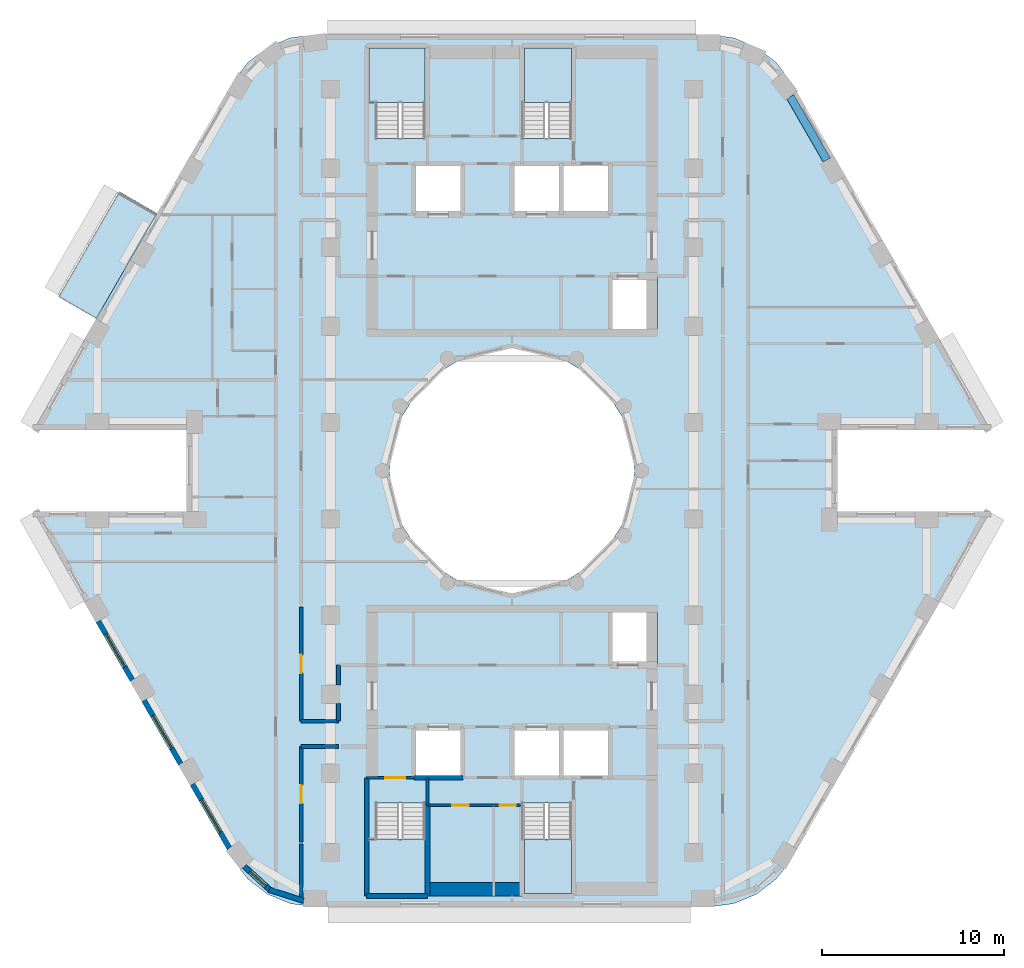
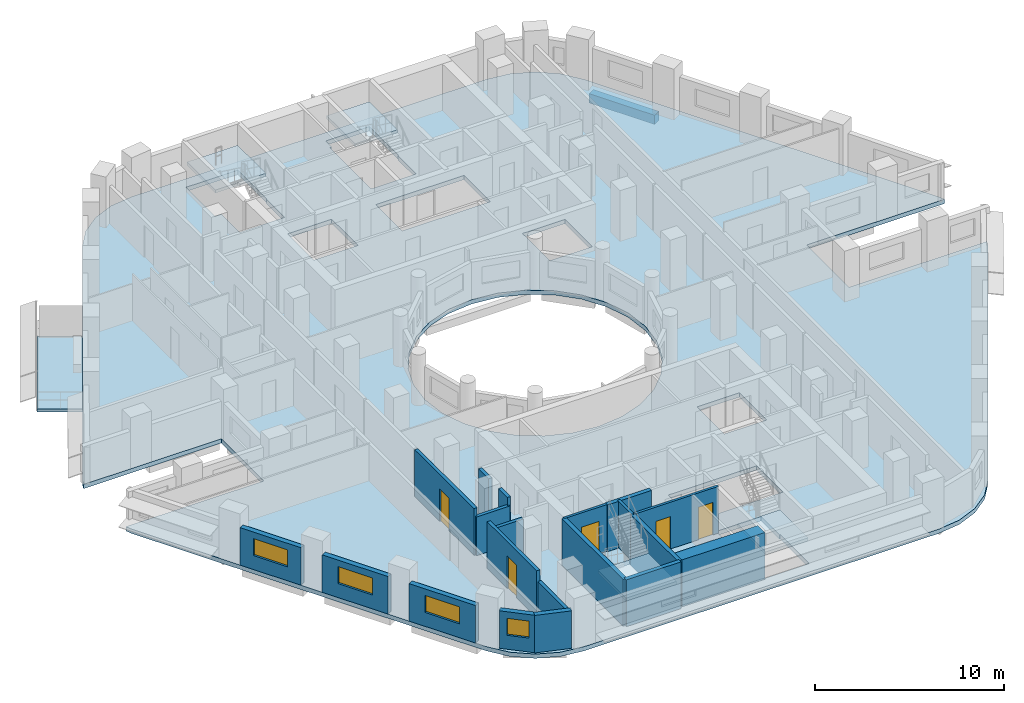
# One storey, part 2 of 13: 20 walls, 6 slabs, 5 doors, 4 windows, 1 beam, 9 openings, 4 elements without a shape of their own.
"""IFC4 building model written with IfcOpenShell, lengths in metres."""

from ifc_helpers import new_model, si_unit, direction, frame, frame_2d, origin, origin_2d, place, context, subcontext, project, spatial, polyline, rectangle, outline, extrude, material, layer, layer_set, material_profile, profile_set, type_object, element, fill, aggregate, save


model = new_model("IFC4")

# Units and contexts
model_context = context("Model", 3, precision=1e-05, world=origin(), true_north=direction((0.0, 1.0)))
body_context = subcontext(model_context, "Body", "Model", "MODEL_VIEW")
ifc_project = project(units=[si_unit("LENGTHUNIT", "METRE"), si_unit("AREAUNIT", "SQUARE_METRE"), si_unit("VOLUMEUNIT", "CUBIC_METRE"), si_unit("PLANEANGLEUNIT", "RADIAN"), si_unit("MASSUNIT", "GRAM", prefix="KILO")], contexts=[model_context])

# Site, building, storey
site_placement = place(None, origin())
site = spatial("IfcSite", under=ifc_project, at=site_placement, CompositionType="ELEMENT")
building_placement = place(site_placement, origin())
building = spatial("IfcBuilding", under=site, at=building_placement, Name="Nakaniwa Court", CompositionType="ELEMENT")
storey_placement = place(building_placement, frame((0.0, 0.0, 156.89990234375)))
storey = spatial("IfcBuildingStorey", under=building, at=storey_placement, Name="L41", CompositionType="ELEMENT", Elevation=156.89990234375)

# Beam
ifc_material_1 = material(Name="Concrete C80/100", Category="concrete")
ifc_material_profile = material_profile(ifc_material_1, rectangle(XDim=0.449951171875, YDim=0.60009765625, at=origin_2d()), Name="Concrete C80/100 RC 450x600 spandrel beam")
ifc_profile_set = profile_set([ifc_material_profile], Name="Concrete C80/100")
beam_type = type_object("IfcBeamType", Name="Concrete C80/100 RC 450x600 spandrel beam", PredefinedType="BEAM", material=ifc_profile_set)
beam_placement = place(storey_placement, frame((97.320556640625, 97.10009765625, -0.574951171875), z_axis=(-0.500018573463, 0.866014680125, 0.0), x_axis=(-0.866014680125, -0.500018573463, 0.0)))
element("IfcBeam", 1, at=beam_placement, inside=storey, type_object=beam_type, Name="SPANDREL BEAM", PredefinedType="BEAM", context=body_context, shape_type="SweptSolid", body=[
    extrude(rectangle(XDim=0.449951171875, YDim=0.60009765625, at=origin_2d()), origin(), (0.0, 0.0, 1.0), 4.020263671875),
])

# Slabs
ifc_material_2 = material(Name="Charcoal ceramic paver")
ifc_layer_1 = layer(ifc_material_2, 0.02, Name="Ceramic paver")
ifc_material_3 = material(Name="Cement sand screed")
ifc_layer_2 = layer(ifc_material_3, 0.03, Name="Falls screed")
ifc_material_4 = material(Name="Concrete C40/50", Category="concrete")
ifc_layer_3 = layer(ifc_material_4, 0.15, Name="Balcony slab")
ifc_layer_set_1 = layer_set([ifc_layer_1, ifc_layer_2, ifc_layer_3], Name="Concrete C40/50 balcony slab with ceramic paver finish")
slab_type_1 = type_object("IfcSlabType", Name="Balcony slab 200", PredefinedType="FLOOR", material=ifc_layer_set_1)
slab_1_placement = place(storey_placement, frame((0.0, 0.0, -0.25)))
element("IfcSlab", 2, at=slab_1_placement, inside=storey, type_object=slab_type_1, Name="L41 balcony 01", PredefinedType="FLOOR", context=body_context, shape_type="SweptSolid", body=[
    extrude(outline(polyline([(60.466796875, 94.16748046875), (57.12255859375, 88.375), (55.044189453125, 89.574951171875), (58.38818359375, 95.36767578125), (60.466796875, 94.16748046875)])), origin(), (0.0, 0.0, 1.0), 0.2001953125),
])
ifc_layer_4 = layer(ifc_material_1, 0.27490234375)
ifc_layer_set_2 = layer_set([ifc_layer_4], Name="Concrete C80/100")
slab_type_2 = type_object("IfcSlabType", Name="Concrete C80/100 post tensioned floor slab 275", PredefinedType="FLOOR", material=ifc_layer_set_2)
slab_2_placement = place(storey_placement, frame((0.0, 0.0, -0.27490234375)))
element("IfcSlab", 3, at=slab_2_placement, inside=storey, type_object=slab_type_2, Name="FLOOR SLAB", PredefinedType="FLOOR", context=body_context, shape_type="SweptSolid", body=[
    extrude(outline(polyline([(97.908447265625, 82.25), (106.356689453125, 82.25), (106.211669921875, 82.60009765625), (95.357421875, 101.39990234375), (94.531005859375, 102.47705078125), (93.4541015625, 103.30322265625), (92.199951171875, 103.82275390625), (90.854248046875, 104.0), (69.145751953125, 104.0), (67.800048828125, 103.82275390625), (66.5458984375, 103.30322265625), (65.468994140625, 102.47705078125), (64.642578125, 101.39990234375), (53.788330078125, 82.60009765625), (53.643310546875, 82.25), (62.091552734375, 82.25), (62.091552734375, 77.75), (53.643310546875, 77.75), (53.788330078125, 77.39990234375), (64.642578125, 58.60009765625), (65.468994140625, 57.52294921875), (66.5458984375, 56.69677734375), (67.800048828125, 56.17724609375), (69.145751953125, 56.0), (90.854248046875, 56.0), (92.199951171875, 56.17724609375), (93.4541015625, 56.69677734375), (94.531005859375, 57.52294921875), (95.357421875, 58.60009765625), (106.211669921875, 77.39990234375), (106.356689453125, 77.75), (97.908447265625, 77.75), (97.908447265625, 82.25)]), holes=[polyline([(81.501953125, 86.580810546875), (80.0, 86.75), (78.498046875, 86.580810546875), (77.0712890625, 86.08154296875), (75.79150390625, 85.27734375), (74.72265625, 84.20849609375), (73.91845703125, 82.9287109375), (73.419189453125, 81.501953125), (73.25, 80.0), (73.419189453125, 78.498046875), (73.91845703125, 77.0712890625), (74.72265625, 75.79150390625), (75.79150390625, 74.72265625), (77.0712890625, 73.91845703125), (78.498046875, 73.419189453125), (80.0, 73.25), (81.501953125, 73.419189453125), (82.9287109375, 73.91845703125), (84.20849609375, 74.72265625), (85.27734375, 75.79150390625), (86.08154296875, 77.0712890625), (86.580810546875, 78.498046875), (86.75, 80.0), (86.580810546875, 81.501953125), (86.08154296875, 82.9287109375), (85.27734375, 84.20849609375), (84.20849609375, 85.27734375), (82.9287109375, 86.08154296875), (81.501953125, 86.580810546875)]), polyline([(72.47509765625, 61.7099609375), (72.47509765625, 59.764892578125), (72.0849609375, 59.764892578125), (72.0849609375, 56.68505859375), (75.264892578125, 56.68505859375), (75.264892578125, 59.764892578125), (75.22509765625, 59.764892578125), (75.22509765625, 61.7099609375), (72.47509765625, 61.7099609375)]), polyline([(77.300048828125, 65.89990234375), (74.60009765625, 65.89990234375), (74.60009765625, 63.10009765625), (77.300048828125, 63.10009765625), (77.300048828125, 65.89990234375)]), polyline([(80.0, 65.89990234375), (80.0, 63.10009765625), (82.699951171875, 63.10009765625), (85.39990234375, 63.10009765625), (85.39990234375, 65.89990234375), (82.699951171875, 65.89990234375), (80.0, 65.89990234375)]), polyline([(77.300048828125, 96.89990234375), (74.60009765625, 96.89990234375), (74.60009765625, 94.10009765625), (77.300048828125, 94.10009765625), (77.300048828125, 96.89990234375)]), polyline([(80.0, 96.89990234375), (80.0, 94.10009765625), (82.699951171875, 94.10009765625), (85.39990234375, 94.10009765625), (85.39990234375, 96.89990234375), (82.699951171875, 96.89990234375), (80.0, 96.89990234375)]), polyline([(75.264892578125, 100.235107421875), (75.264892578125, 103.31494140625), (72.0849609375, 103.31494140625), (72.0849609375, 100.235107421875), (72.47509765625, 100.235107421875), (72.47509765625, 98.2900390625), (75.22509765625, 98.2900390625), (75.22509765625, 100.235107421875), (75.264892578125, 100.235107421875)]), polyline([(83.27490234375, 61.7099609375), (80.52490234375, 61.7099609375), (80.52490234375, 57.324951171875), (80.635009765625, 57.324951171875), (80.635009765625, 56.68505859375), (83.31494140625, 56.68505859375), (83.31494140625, 59.764892578125), (83.27490234375, 59.764892578125), (83.27490234375, 61.7099609375)]), polyline([(88.0, 72.199951171875), (85.39990234375, 72.199951171875), (85.39990234375, 69.300048828125), (88.0, 69.300048828125), (88.0, 72.199951171875)]), polyline([(88.0, 90.699951171875), (85.39990234375, 90.699951171875), (85.39990234375, 87.800048828125), (88.0, 87.800048828125), (88.0, 90.699951171875)]), polyline([(83.31494140625, 100.235107421875), (83.31494140625, 103.31494140625), (80.635009765625, 103.31494140625), (80.635009765625, 102.675048828125), (80.52490234375, 102.675048828125), (80.52490234375, 98.2900390625), (83.27490234375, 98.2900390625), (83.27490234375, 100.235107421875), (83.31494140625, 100.235107421875)])]), origin(), (0.0, 0.0, 1.0), 0.27490234375),
])

# Stair, slab
stair_type = type_object("IfcStairType", Name="Dog leg stair 1300 wide 18 risers", PredefinedType="HALF_TURN_STAIR", material=ifc_material_1)
stair_1_placement = place(storey_placement, origin())
stair_1 = element("IfcStair", 4, at=stair_1_placement, inside=storey, type_object=stair_type, Name="L41 Stair ST1", PredefinedType="HALF_TURN_STAIR")
ifc_layer_5 = layer(ifc_material_1, 0.199951171875)
ifc_layer_set_3 = layer_set([ifc_layer_5], Name="Concrete C80/100")
slab_type_3 = type_object("IfcSlabType", Name="Stair landing concrete", PredefinedType="LANDING", material=ifc_layer_set_3)
slab_3_placement = place(storey_placement, frame((0.0, 0.0, 1.4501953125)))
slab_3 = element("IfcSlab", 5, at=slab_3_placement, type_object=slab_type_3, Name="ST1 landing 1", PredefinedType="LANDING", context=body_context, shape_type="SweptSolid", body=[
    extrude(outline(polyline([(75.22509765625, 100.27490234375), (75.22509765625, 103.27490234375), (72.125, 103.27490234375), (72.125, 100.27490234375), (75.22509765625, 100.27490234375)])), origin(), (0.0, 0.0, 1.0), 0.199951171875),
])
aggregate(stair_1, [slab_3])

stair_2_placement = place(storey_placement, origin())
stair_2 = element("IfcStair", 6, at=stair_2_placement, inside=storey, type_object=stair_type, Name="L41 Stair ST2", PredefinedType="HALF_TURN_STAIR")
slab_4_placement = place(storey_placement, frame((0.0, 0.0, 1.4501953125)))
slab_4 = element("IfcSlab", 7, at=slab_4_placement, type_object=slab_type_3, Name="ST2 landing 1", PredefinedType="LANDING", context=body_context, shape_type="SweptSolid", body=[
    extrude(outline(polyline([(83.27490234375, 100.27490234375), (83.27490234375, 103.27490234375), (80.675048828125, 103.27490234375), (80.675048828125, 100.27490234375), (83.27490234375, 100.27490234375)])), origin(), (0.0, 0.0, 1.0), 0.199951171875),
])
aggregate(stair_2, [slab_4])

stair_3_placement = place(storey_placement, origin())
stair_3 = element("IfcStair", 8, at=stair_3_placement, inside=storey, type_object=stair_type, Name="L41 Stair ST3", PredefinedType="HALF_TURN_STAIR")
slab_5_placement = place(storey_placement, frame((0.0, 0.0, 1.4501953125)))
slab_5 = element("IfcSlab", 9, at=slab_5_placement, type_object=slab_type_3, Name="ST3 landing 1", PredefinedType="LANDING", context=body_context, shape_type="SweptSolid", body=[
    extrude(outline(polyline([(75.22509765625, 56.72509765625), (75.22509765625, 59.72509765625), (72.125, 59.72509765625), (72.125, 56.72509765625), (75.22509765625, 56.72509765625)])), origin(), (0.0, 0.0, 1.0), 0.199951171875),
])
aggregate(stair_3, [slab_5])

stair_4_placement = place(storey_placement, origin())
stair_4 = element("IfcStair", 10, at=stair_4_placement, inside=storey, type_object=stair_type, Name="L41 Stair ST4", PredefinedType="HALF_TURN_STAIR")
slab_6_placement = place(storey_placement, frame((0.0, 0.0, 1.4501953125)))
slab_6 = element("IfcSlab", 11, at=slab_6_placement, type_object=slab_type_3, Name="ST4 landing 1", PredefinedType="LANDING", context=body_context, shape_type="SweptSolid", body=[
    extrude(outline(polyline([(83.27490234375, 56.72509765625), (83.27490234375, 59.72509765625), (80.675048828125, 59.72509765625), (80.675048828125, 56.72509765625), (83.27490234375, 56.72509765625)])), origin(), (0.0, 0.0, 1.0), 0.199951171875),
])
aggregate(stair_4, [slab_6])

# Walls
ifc_material_5 = material(Name="Acoustic double stud partition")
ifc_layer_6 = layer(ifc_material_5, 0.199951171875)
ifc_layer_set_4 = layer_set([ifc_layer_6], Name="Acoustic double stud partition")
wall_type_1 = type_object("IfcWallType", Name="Acoustic double stud partition 200", PredefinedType="PARTITIONING", material=ifc_layer_set_4)
wall_1_placement = place(storey_placement, frame((68.39990234375, 64.824951171875, 0.0), z_axis=(0.0, 0.0, 1.0), x_axis=(1.0, 0.0, 0.0)))
element("IfcWall", 12, at=wall_1_placement, inside=storey, type_object=wall_type_1, Name="Partition PW-076", PredefinedType="PARTITIONING", context=body_context, shape_type="SweptSolid", body=[
    extrude(rectangle(XDim=2.06298828125, YDim=0.199951171875, at=frame_2d((1.031494140625, 0.0))), origin(), (0.0, 0.0, 1.0), 2.505126953125),
])
wall_2_placement = place(storey_placement, frame((68.39990234375, 66.22509765625, 0.0), z_axis=(0.0, 0.0, 1.0), x_axis=(1.0, 0.0, 0.0)))
element("IfcWall", 13, at=wall_2_placement, inside=storey, type_object=wall_type_1, Name="Partition PW-087", PredefinedType="PARTITIONING", context=body_context, shape_type="SweptSolid", body=[
    extrude(rectangle(XDim=2.050048828125, YDim=0.199951171875, at=frame_2d((1.02490234375, 0.0))), origin(), (0.0, 0.0, 1.0), 2.505126953125),
])
wall_3_placement = place(storey_placement, frame((68.39990234375, 56.40087890625, 0.0), z_axis=(0.0, 0.0, 1.0), x_axis=(0.0, 1.0, 0.0)))
element("IfcWall", 14, at=wall_3_placement, inside=storey, type_object=wall_type_1, Name="Partition PW-097", PredefinedType="PARTITIONING", context=body_context, shape_type="SweptSolid", body=[
    extrude(rectangle(XDim=3.06201171875, YDim=0.199951171875, at=frame_2d((1.531005859375, 0.0))), origin(), (0.0, 0.0, 1.0), 2.405029296875),
])

# Wall, opening, door
wall_4_placement = place(storey_placement, frame((68.39990234375, 64.824951171875, 0.0), z_axis=(0.0, 0.0, 1.0), x_axis=(0.0, -1.0, 0.0)))
wall_4 = element("IfcWall", 15, at=wall_4_placement, inside=storey, type_object=wall_type_1, Name="Partition PW-098", PredefinedType="PARTITIONING", context=body_context, shape_type="SweptSolid", body=[
    extrude(rectangle(XDim=5.247802734375, YDim=0.199951171875, at=frame_2d((2.6240234375, 0.0))), origin(), (0.0, 0.0, 1.0), 3.025146484375),
])
opening_1_placement = place(wall_4_placement, frame((2.123046875, 0.0, 0.0)))
opening_1 = element("IfcOpeningElement", 16, at=opening_1_placement, cuts=wall_4, Name="Opening D-02-05", PredefinedType="OPENING", context=body_context, shape_type="SweptSolid", body=[
    extrude(rectangle(XDim=1.0, YDim=2.10009765625, at=frame_2d((0.5, 1.050048828125))), frame((0.0, 0.10986328125, 0.0), z_axis=(0.0, -1.0, 0.0), x_axis=(1.0, 0.0, 0.0)), (0.0, 0.0, 1.0), 0.219970703125),
])
ifc_material_6 = material(Name="Solid core timber door set, black veneer", Category="wood")
door_type_1 = type_object("IfcDoorType", Name="Internal door 1000", OperationType="NOTDEFINED", PredefinedType="DOOR", material=ifc_material_6)
door_1_placement = place(opening_1_placement, origin())
door_1 = element("IfcDoor", 17, at=door_1_placement, inside=storey, type_object=door_type_1, Name="Door D-02-05 L41-031", OperationType="SINGLE_SWING_RIGHT", OverallHeight=2.10009765625, OverallWidth=1.0, PredefinedType="DOOR", context=body_context, shape_type="SweptSolid", body=[
    extrude(rectangle(XDim=1.0, YDim=2.10009765625, at=frame_2d((0.5, 1.050048828125))), frame((0.0, 0.02490234375, 0.0), z_axis=(0.0, -1.0, 0.0), x_axis=(1.0, 0.0, 0.0)), (0.0, 0.0, 1.0), 0.050048828125),
])
fill(opening_1, door_1)

wall_5_placement = place(storey_placement, frame((68.39990234375, 72.5126953125, 0.0), z_axis=(0.0, 0.0, 1.0), x_axis=(0.0, -1.0, 0.0)))
wall_5 = element("IfcWall", 18, at=wall_5_placement, inside=storey, type_object=wall_type_1, Name="Partition PW-099", PredefinedType="PARTITIONING", context=body_context, shape_type="SweptSolid", body=[
    extrude(rectangle(XDim=6.28759765625, YDim=0.199951171875, at=frame_2d((3.143798828125, 0.0))), origin(), (0.0, 0.0, 1.0), 3.025146484375),
])
opening_2_placement = place(wall_5_placement, frame((2.64501953125, 0.0, 0.0)))
opening_2 = element("IfcOpeningElement", 19, at=opening_2_placement, cuts=wall_5, Name="Opening D-02-07", PredefinedType="OPENING", context=body_context, shape_type="SweptSolid", body=[
    extrude(rectangle(XDim=1.0, YDim=2.10009765625, at=frame_2d((0.5, 1.050048828125))), frame((0.0, 0.10986328125, 0.0), z_axis=(0.0, -1.0, 0.0), x_axis=(1.0, 0.0, 0.0)), (0.0, 0.0, 1.0), 0.219970703125),
])
door_2_placement = place(opening_2_placement, origin())
door_2 = element("IfcDoor", 20, at=door_2_placement, inside=storey, type_object=door_type_1, Name="Door D-02-07 L41-033", OperationType="SINGLE_SWING_RIGHT", OverallHeight=2.10009765625, OverallWidth=1.0, PredefinedType="DOOR", context=body_context, shape_type="SweptSolid", body=[
    extrude(rectangle(XDim=1.0, YDim=2.10009765625, at=frame_2d((0.5, 1.050048828125))), frame((0.0, 0.02490234375, 0.0), z_axis=(0.0, -1.0, 0.0), x_axis=(1.0, 0.0, 0.0)), (0.0, 0.0, 1.0), 0.050048828125),
])
fill(opening_2, door_2)

# Walls
wall_6_placement = place(storey_placement, frame((70.449951171875, 66.22509765625, 0.0), z_axis=(0.0, 0.0, 1.0), x_axis=(0.0, 1.0, 0.0)))
element("IfcWall", 21, at=wall_6_placement, inside=storey, type_object=wall_type_1, Name="Partition PW-107", PredefinedType="PARTITIONING", context=body_context, shape_type="SweptSolid", body=[
    extrude(rectangle(XDim=0.957763671875, YDim=0.199951171875, at=frame_2d((0.47900390625, 0.0))), origin(), (0.0, 0.0, 1.0), 3.025146484375),
])
wall_7_placement = place(storey_placement, frame((70.449951171875, 68.21728515625, 0.0), z_axis=(0.0, 0.0, 1.0), x_axis=(0.0, 1.0, 0.0)))
element("IfcWall", 22, at=wall_7_placement, inside=storey, type_object=wall_type_1, Name="Partition PW-108", PredefinedType="PARTITIONING", context=body_context, shape_type="SweptSolid", body=[
    extrude(rectangle(XDim=1.082763671875, YDim=0.199951171875, at=frame_2d((0.54150390625, 0.0))), origin(), (0.0, 0.0, 1.0), 3.025146484375),
])

# Wall, opening, window
ifc_material_7 = material(Name="Charcoal ceramic cladding")
ifc_layer_7 = layer(ifc_material_7, 0.02, Name="Ceramic cladding")
ifc_material_8 = material(Name="Ventilated air cavity")
ifc_layer_8 = layer(ifc_material_8, 0.04, ventilated=True, Name="Ventilated cavity")
ifc_material_9 = material(Name="Mineral wool insulation")
ifc_layer_9 = layer(ifc_material_9, 0.1, Name="Insulation")
ifc_material_10 = material(Name="Cement bonded sheathing board")
ifc_layer_10 = layer(ifc_material_10, 0.012, Name="Sheathing")
ifc_material_11 = material(Name="Cold-formed galvanised stud frame with mineral wool infill")
ifc_layer_11 = layer(ifc_material_11, 0.1, Name="Stud frame")
ifc_material_12 = material(Name="Fire-rated gypsum plasterboard lining")
ifc_layer_12 = layer(ifc_material_12, 0.028, Name="Lining")
ifc_layer_set_5 = layer_set([ifc_layer_7, ifc_layer_8, ifc_layer_9, ifc_layer_10, ifc_layer_11, ifc_layer_12], Name="Charcoal ceramic faced external wall system")
wall_type_2 = type_object("IfcWallType", Name="Black ceramic faced external wall 300", PredefinedType="SOLIDWALL", material=ifc_layer_set_5)
wall_8_placement = place(storey_placement, frame((57.240478515625, 71.720947265625, 0.0), z_axis=(0.0, 0.0, 1.0), x_axis=(0.499933594891, -0.866063739398, 0.0)))
wall_8 = element("IfcWall", 23, at=wall_8_placement, inside=storey, type_object=wall_type_2, Name="L41 external wall 21", PredefinedType="SOLIDWALL", context=body_context, shape_type="SweptSolid", body=[
    extrude(rectangle(XDim=3.73681640625, YDim=0.300048828125, at=frame_2d((1.868408203125, 0.0))), origin(), (0.0, 0.0, 1.0), 2.425048828125),
])
opening_3_placement = place(wall_8_placement, frame((0.818359375, 0.0, 0.89990234375)))
opening_3 = element("IfcOpeningElement", 24, at=opening_3_placement, cuts=wall_8, Name="Opening W7.21", PredefinedType="OPENING", context=body_context, shape_type="SweptSolid", body=[
    extrude(rectangle(XDim=2.10009765625, YDim=1.10009765625, at=frame_2d((1.050048828125, 0.550048828125))), frame((0.0, 0.159912109375, 0.0), z_axis=(0.0, -1.0, 0.0), x_axis=(1.0, 0.0, 0.0)), (0.0, 0.0, 1.0), 0.320068359375),
])
ifc_material_13 = material(Name="Black anodised aluminium frame with dark low-E laminated double glazing", Category="aluminium")
window_type_1 = type_object("IfcWindowType", Name="Dark glass window 2100x1100 sill 900", PartitioningType="SINGLE_PANEL", PredefinedType="WINDOW", material=ifc_material_13)
window_1_placement = place(opening_3_placement, origin())
window_1 = element("IfcWindow", 25, at=window_1_placement, inside=storey, type_object=window_type_1, Name="L41 habitable room window 21-0", OverallHeight=1.10009765625, OverallWidth=2.10009765625, PartitioningType="SINGLE_PANEL", PredefinedType="WINDOW", context=body_context, shape_type="SweptSolid", body=[
    extrude(rectangle(XDim=2.10009765625, YDim=1.10009765625, at=frame_2d((1.050048828125, 0.550048828125))), frame((0.0, 0.030029296875, 0.0), z_axis=(0.0, -1.0, 0.0), x_axis=(1.0, 0.0, 0.0)), (0.0, 0.0, 1.0), 0.06005859375),
])
fill(opening_3, window_1)

wall_9_placement = place(storey_placement, frame((59.754638671875, 67.36572265625, 0.0), z_axis=(0.0, 0.0, 1.0), x_axis=(0.500031546601, -0.86600718958, 0.0)))
wall_9 = element("IfcWall", 26, at=wall_9_placement, inside=storey, type_object=wall_type_2, Name="L41 external wall 22", PredefinedType="SOLIDWALL", context=body_context, shape_type="SweptSolid", body=[
    extrude(rectangle(XDim=4.033935546875, YDim=0.300048828125, at=frame_2d((2.01708984375, 0.0))), origin(), (0.0, 0.0, 1.0), 2.425048828125),
])
opening_4_placement = place(wall_9_placement, frame((0.966796875, 0.0, 0.89990234375)))
opening_4 = element("IfcOpeningElement", 27, at=opening_4_placement, cuts=wall_9, Name="Opening W7.22", PredefinedType="OPENING", context=body_context, shape_type="SweptSolid", body=[
    extrude(rectangle(XDim=2.10009765625, YDim=1.10009765625, at=frame_2d((1.050048828125, 0.550048828125))), frame((0.0, 0.159912109375, 0.0), z_axis=(0.0, -1.0, 0.0), x_axis=(1.0, 0.0, 0.0)), (0.0, 0.0, 1.0), 0.320068359375),
])
window_2_placement = place(opening_4_placement, origin())
window_2 = element("IfcWindow", 28, at=window_2_placement, inside=storey, type_object=window_type_1, Name="L41 habitable room window 22-0", OverallHeight=1.10009765625, OverallWidth=2.10009765625, PartitioningType="SINGLE_PANEL", PredefinedType="WINDOW", context=body_context, shape_type="SweptSolid", body=[
    extrude(rectangle(XDim=2.10009765625, YDim=1.10009765625, at=frame_2d((1.050048828125, 0.550048828125))), frame((0.0, 0.030029296875, 0.0), z_axis=(0.0, -1.0, 0.0), x_axis=(1.0, 0.0, 0.0)), (0.0, 0.0, 1.0), 0.06005859375),
])
fill(opening_4, window_2)

wall_10_placement = place(storey_placement, frame((62.417724609375, 62.75341796875, 0.0), z_axis=(0.0, 0.0, 1.0), x_axis=(0.500018589245, -0.866014671013, 0.0)))
wall_10 = element("IfcWall", 29, at=wall_10_placement, inside=storey, type_object=wall_type_2, Name="L41 external wall 23", PredefinedType="SOLIDWALL", context=body_context, shape_type="SweptSolid", body=[
    extrude(rectangle(XDim=4.067626953125, YDim=0.300048828125, at=frame_2d((2.03369140625, 0.0))), origin(), (0.0, 0.0, 1.0), 2.425048828125),
])
opening_5_placement = place(wall_10_placement, frame((0.97265625, 0.0, 0.89990234375)))
opening_5 = element("IfcOpeningElement", 30, at=opening_5_placement, cuts=wall_10, Name="Opening W7.23", PredefinedType="OPENING", context=body_context, shape_type="SweptSolid", body=[
    extrude(rectangle(XDim=2.10009765625, YDim=1.10009765625, at=frame_2d((1.050048828125, 0.550048828125))), frame((0.0, 0.159912109375, 0.0), z_axis=(0.0, -1.0, 0.0), x_axis=(1.0, 0.0, 0.0)), (0.0, 0.0, 1.0), 0.320068359375),
])
window_3_placement = place(opening_5_placement, origin())
window_3 = element("IfcWindow", 31, at=window_3_placement, inside=storey, type_object=window_type_1, Name="L41 habitable room window 23-0", OverallHeight=1.10009765625, OverallWidth=2.10009765625, PartitioningType="SINGLE_PANEL", PredefinedType="WINDOW", context=body_context, shape_type="SweptSolid", body=[
    extrude(rectangle(XDim=2.10009765625, YDim=1.10009765625, at=frame_2d((1.050048828125, 0.550048828125))), frame((0.0, 0.030029296875, 0.0), z_axis=(0.0, -1.0, 0.0), x_axis=(1.0, 0.0, 0.0)), (0.0, 0.0, 1.0), 0.06005859375),
])
fill(opening_5, window_3)

wall_11_placement = place(storey_placement, frame((65.26904296875, 58.229248046875, 0.0), z_axis=(0.0, 0.0, 1.0), x_axis=(0.737487298625, -0.675361002995, 0.0)))
wall_11 = element("IfcWall", 32, at=wall_11_placement, inside=storey, type_object=wall_type_2, Name="L41 external wall 24", PredefinedType="SOLIDWALL", context=body_context, shape_type="SweptSolid", body=[
    extrude(rectangle(XDim=1.9765625, YDim=0.300048828125, at=frame_2d((0.98828125, 0.0))), origin(), (0.0, 0.0, 1.0), 2.425048828125),
])
opening_6_placement = place(wall_11_placement, frame((0.41552734375, 0.0, 0.89990234375)))
opening_6 = element("IfcOpeningElement", 33, at=opening_6_placement, cuts=wall_11, Name="Opening W6.24", PredefinedType="OPENING", context=body_context, shape_type="SweptSolid", body=[
    extrude(rectangle(XDim=1.199951171875, YDim=1.10009765625, at=frame_2d((0.60009765625, 0.550048828125))), frame((0.0, 0.159912109375, 0.0), z_axis=(0.0, -1.0, 0.0), x_axis=(1.0, 0.0, 0.0)), (0.0, 0.0, 1.0), 0.320068359375),
])
window_type_2 = type_object("IfcWindowType", Name="Dark glass window 1200x1100 sill 900", PartitioningType="SINGLE_PANEL", PredefinedType="WINDOW", material=ifc_material_13)
window_4_placement = place(opening_6_placement, origin())
window_4 = element("IfcWindow", 34, at=window_4_placement, inside=storey, type_object=window_type_2, Name="L41 habitable room window 24-0", OverallHeight=1.10009765625, OverallWidth=1.199951171875, PartitioningType="SINGLE_PANEL", PredefinedType="WINDOW", context=body_context, shape_type="SweptSolid", body=[
    extrude(rectangle(XDim=1.199951171875, YDim=1.10009765625, at=frame_2d((0.60009765625, 0.550048828125))), frame((0.0, 0.030029296875, 0.0), z_axis=(0.0, -1.0, 0.0), x_axis=(1.0, 0.0, 0.0)), (0.0, 0.0, 1.0), 0.06005859375),
])
fill(opening_6, window_4)

# Wall
wall_12_placement = place(storey_placement, frame((66.625732421875, 56.94580078125, 0.0), z_axis=(0.0, 0.0, 1.0), x_axis=(0.952201240673, -0.305471434444, 0.0)))
element("IfcWall", 35, at=wall_12_placement, inside=storey, type_object=wall_type_2, Name="L41 external wall 25", PredefinedType="SOLIDWALL", context=body_context, shape_type="SweptSolid", body=[
    extrude(rectangle(XDim=1.998779296875, YDim=0.300048828125, at=frame_2d((0.99951171875, 0.0))), origin(), (0.0, 0.0, 1.0), 2.425048828125),
])

# Wall, openings, doors
ifc_material_14 = material(Name="Blockwork partition", Category="masonry")
ifc_layer_13 = layer(ifc_material_14, 0.14990234375)
ifc_layer_set_6 = layer_set([ifc_layer_13], Name="Blockwork partition")
wall_type_3 = type_object("IfcWallType", Name="Blockwork partition 150", PredefinedType="PARTITIONING", material=ifc_layer_set_6)
wall_13_placement = place(storey_placement, frame((80.550048828125, 61.60009765625, 0.0), z_axis=(0.0, 0.0, 1.0), x_axis=(-1.0, 0.0, 0.0)))
wall_13 = element("IfcWall", 36, at=wall_13_placement, inside=storey, type_object=wall_type_3, Name="Partition PW-065", PredefinedType="PARTITIONING", context=body_context, shape_type="SweptSolid", body=[
    extrude(rectangle(XDim=5.199951171875, YDim=0.14990234375, at=frame_2d((2.60009765625, 0.0))), origin(), (0.0, 0.0, 1.0), 3.025146484375),
])
opening_7_placement = place(wall_13_placement, frame((2.929931640625, 0.0, 0.0)))
opening_7 = element("IfcOpeningElement", 37, at=opening_7_placement, cuts=wall_13, Name="Opening D-05-11", PredefinedType="OPENING", context=body_context, shape_type="SweptSolid", body=[
    extrude(rectangle(XDim=0.89990234375, YDim=2.10009765625, at=frame_2d((0.449951171875, 1.050048828125))), frame((0.0, 0.0849609375, 0.0), z_axis=(0.0, -1.0, 0.0), x_axis=(1.0, 0.0, 0.0)), (0.0, 0.0, 1.0), 0.169921875),
])
opening_8_placement = place(wall_13_placement, frame((0.330078125, 0.0, 0.0)))
opening_8 = element("IfcOpeningElement", 38, at=opening_8_placement, cuts=wall_13, Name="Opening D-05-12", PredefinedType="OPENING", context=body_context, shape_type="SweptSolid", body=[
    extrude(rectangle(XDim=0.89990234375, YDim=2.10009765625, at=frame_2d((0.449951171875, 1.050048828125))), frame((0.0, 0.0849609375, 0.0), z_axis=(0.0, -1.0, 0.0), x_axis=(1.0, 0.0, 0.0)), (0.0, 0.0, 1.0), 0.169921875),
])
ifc_material_15 = material(Name="Fire rated steel door set", Category="steel")
door_type_2 = type_object("IfcDoorType", Name="Service room door 900", OperationType="NOTDEFINED", PredefinedType="DOOR", material=ifc_material_15)
door_3_placement = place(opening_7_placement, origin())
door_3 = element("IfcDoor", 39, at=door_3_placement, inside=storey, type_object=door_type_2, Name="Door D-05-11 L41-019", OperationType="SINGLE_SWING_RIGHT", OverallHeight=2.10009765625, OverallWidth=0.89990234375, PredefinedType="DOOR", context=body_context, shape_type="SweptSolid", body=[
    extrude(rectangle(XDim=0.89990234375, YDim=2.10009765625, at=frame_2d((0.449951171875, 1.050048828125))), frame((0.0, 0.02490234375, 0.0), z_axis=(0.0, -1.0, 0.0), x_axis=(1.0, 0.0, 0.0)), (0.0, 0.0, 1.0), 0.050048828125),
])
fill(opening_7, door_3)
door_4_placement = place(opening_8_placement, origin())
door_4 = element("IfcDoor", 40, at=door_4_placement, inside=storey, type_object=door_type_2, Name="Door D-05-12 L41-020", OperationType="SINGLE_SWING_LEFT", OverallHeight=2.10009765625, OverallWidth=0.89990234375, PredefinedType="DOOR", context=body_context, shape_type="SweptSolid", body=[
    extrude(rectangle(XDim=0.89990234375, YDim=2.10009765625, at=frame_2d((0.449951171875, 1.050048828125))), frame((0.0, 0.02490234375, 0.0), z_axis=(0.0, -1.0, 0.0), x_axis=(1.0, 0.0, 0.0)), (0.0, 0.0, 1.0), 0.050048828125),
])
fill(opening_8, door_4)

# Wall, opening, door
ifc_layer_14 = layer(ifc_material_1, 0.14990234375)
ifc_layer_set_7 = layer_set([ifc_layer_14], Name="Concrete C80/100")
wall_type_4 = type_object("IfcWallType", Name="Concrete core wall 150 C80", PredefinedType="SHEAR", material=ifc_layer_set_7)
wall_14_placement = place(storey_placement, frame((72.0, 63.10009765625, -0.27490234375), z_axis=(0.0, 0.0, 1.0), x_axis=(1.0, 0.0, 0.0)))
wall_14 = element("IfcWall", 41, at=wall_14_placement, inside=storey, type_object=wall_type_4, Name="Core wall SW-48", PredefinedType="SHEAR", context=body_context, shape_type="SweptSolid", body=[
    extrude(rectangle(XDim=2.60009765625, YDim=0.14990234375, at=frame_2d((1.300048828125, 0.0))), origin(), (0.0, 0.0, 1.0), 3.300048828125),
])
opening_9_placement = place(wall_14_placement, frame((1.02001953125, 0.0, 0.27490234375)))
opening_9 = element("IfcOpeningElement", 42, at=opening_9_placement, cuts=wall_14, Name="Opening D-09-02", PredefinedType="OPENING", context=body_context, shape_type="SweptSolid", body=[
    extrude(rectangle(XDim=1.10009765625, YDim=2.10009765625, at=frame_2d((0.550048828125, 1.050048828125))), frame((0.0, 0.0849609375, 0.0), z_axis=(0.0, -1.0, 0.0), x_axis=(1.0, 0.0, 0.0)), (0.0, 0.0, 1.0), 0.169921875),
])
door_type_3 = type_object("IfcDoorType", Name="Stair door 1100", OperationType="NOTDEFINED", PredefinedType="DOOR", material=ifc_material_15)
door_5_placement = place(opening_9_placement, origin())
door_5 = element("IfcDoor", 43, at=door_5_placement, inside=storey, type_object=door_type_3, Name="Door D-09-02 L41-021", OperationType="SINGLE_SWING_LEFT", OverallHeight=2.10009765625, OverallWidth=1.10009765625, PredefinedType="DOOR", context=body_context, shape_type="SweptSolid", body=[
    extrude(rectangle(XDim=1.10009765625, YDim=2.10009765625, at=frame_2d((0.550048828125, 1.050048828125))), frame((0.0, 0.02490234375, 0.0), z_axis=(0.0, -1.0, 0.0), x_axis=(1.0, 0.0, 0.0)), (0.0, 0.0, 1.0), 0.050048828125),
])
fill(opening_9, door_5)

# Walls
wall_15_placement = place(storey_placement, frame((75.35009765625, 61.596923828125, -0.27490234375), z_axis=(0.0, 0.0, 1.0), x_axis=(0.0, 1.0, 0.0)))
element("IfcWall", 44, at=wall_15_placement, inside=storey, type_object=wall_type_4, Name="Core wall SW-55", PredefinedType="SHEAR", context=body_context, shape_type="SweptSolid", body=[
    extrude(rectangle(XDim=1.503173828125, YDim=0.14990234375, at=frame_2d((0.75146484375, 0.0))), origin(), (0.0, 0.0, 1.0), 3.300048828125),
])
ifc_layer_15 = layer(ifc_material_1, 0.25)
ifc_layer_set_8 = layer_set([ifc_layer_15], Name="Concrete C80/100")
wall_type_5 = type_object("IfcWallType", Name="Concrete core wall 250 C80", PredefinedType="SHEAR", material=ifc_layer_set_8)
wall_16_placement = place(storey_placement, frame((72.0, 56.60009765625, -0.27490234375), z_axis=(0.0, 0.0, 1.0), x_axis=(0.0, 1.0, 0.0)))
element("IfcWall", 45, at=wall_16_placement, inside=storey, type_object=wall_type_5, Name="Core wall SW-57", PredefinedType="SHEAR", context=body_context, shape_type="SweptSolid", body=[
    extrude(rectangle(XDim=6.5, YDim=0.25, at=frame_2d((3.25, 0.0))), origin(), (0.0, 0.0, 1.0), 3.300048828125),
])
wall_17_placement = place(storey_placement, frame((72.0, 56.60009765625, -0.27490234375), z_axis=(0.0, 0.0, 1.0), x_axis=(1.0, 0.0, 0.0)))
element("IfcWall", 46, at=wall_17_placement, inside=storey, type_object=wall_type_5, Name="Core wall SW-58", PredefinedType="SHEAR", context=body_context, shape_type="SweptSolid", body=[
    extrude(rectangle(XDim=3.35009765625, YDim=0.25, at=frame_2d((1.675048828125, 0.0))), origin(), (0.0, 0.0, 1.0), 3.300048828125),
])
ifc_layer_16 = layer(ifc_material_1, 0.75)
ifc_layer_set_9 = layer_set([ifc_layer_16], Name="Concrete C80/100")
wall_type_6 = type_object("IfcWallType", Name="Concrete core wall 750 C80", PredefinedType="SHEAR", material=ifc_layer_set_9)
wall_18_placement = place(storey_placement, frame((75.35009765625, 56.97509765625, -0.27490234375), z_axis=(0.0, 0.0, 1.0), x_axis=(1.0, 0.0, 0.0)))
element("IfcWall", 47, at=wall_18_placement, inside=storey, type_object=wall_type_6, Name="Core wall SW-63", PredefinedType="SHEAR", context=body_context, shape_type="SweptSolid", body=[
    extrude(rectangle(XDim=5.199951171875, YDim=0.75, at=frame_2d((2.60009765625, 0.0))), origin(), (0.0, 0.0, 1.0), 3.300048828125),
])
ifc_layer_17 = layer(ifc_material_1, 0.25)
ifc_layer_set_10 = layer_set([ifc_layer_17], Name="Concrete C80/100")
wall_type_7 = type_object("IfcWallType", Name="Concrete shaft wall 250 C80", PredefinedType="SHEAR", material=ifc_layer_set_10)
wall_19_placement = place(storey_placement, frame((74.60009765625, 63.10009765625, -0.27490234375), z_axis=(0.0, 0.0, 1.0), x_axis=(1.0, 0.0, 0.0)))
element("IfcWall", 48, at=wall_19_placement, inside=storey, type_object=wall_type_7, Name="Core wall SW-50", PredefinedType="SHEAR", context=body_context, shape_type="SweptSolid", body=[
    extrude(rectangle(XDim=2.699951171875, YDim=0.25, at=frame_2d((1.35009765625, 0.0))), origin(), (0.0, 0.0, 1.0), 3.300048828125),
])
wall_20_placement = place(storey_placement, frame((75.35009765625, 56.60009765625, -0.27490234375), z_axis=(0.0, 0.0, 1.0), x_axis=(0.0, 1.0, 0.0)))
element("IfcWall", 49, at=wall_20_placement, inside=storey, type_object=wall_type_7, Name="Core wall SW-56", PredefinedType="SHEAR", context=body_context, shape_type="SweptSolid", body=[
    extrude(rectangle(XDim=5.0029296875, YDim=0.25, at=frame_2d((2.50146484375, 0.0))), origin(), (0.0, 0.0, 1.0), 3.300048828125),
])

save(model, "model.ifc")
